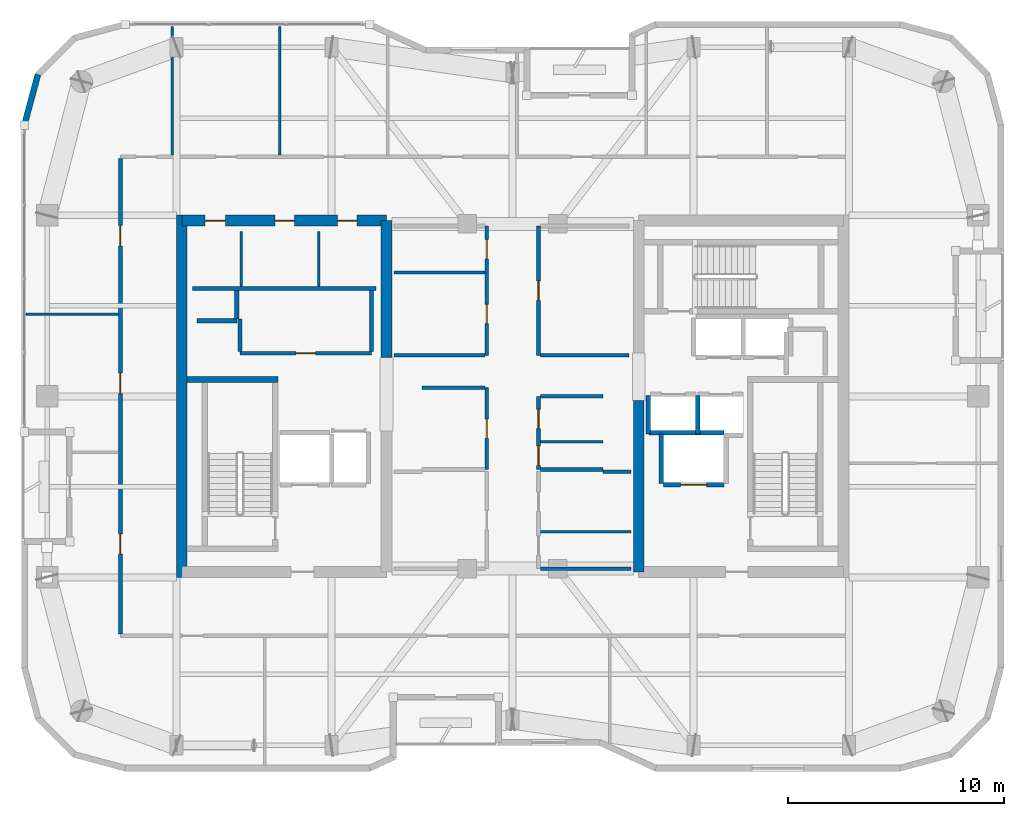
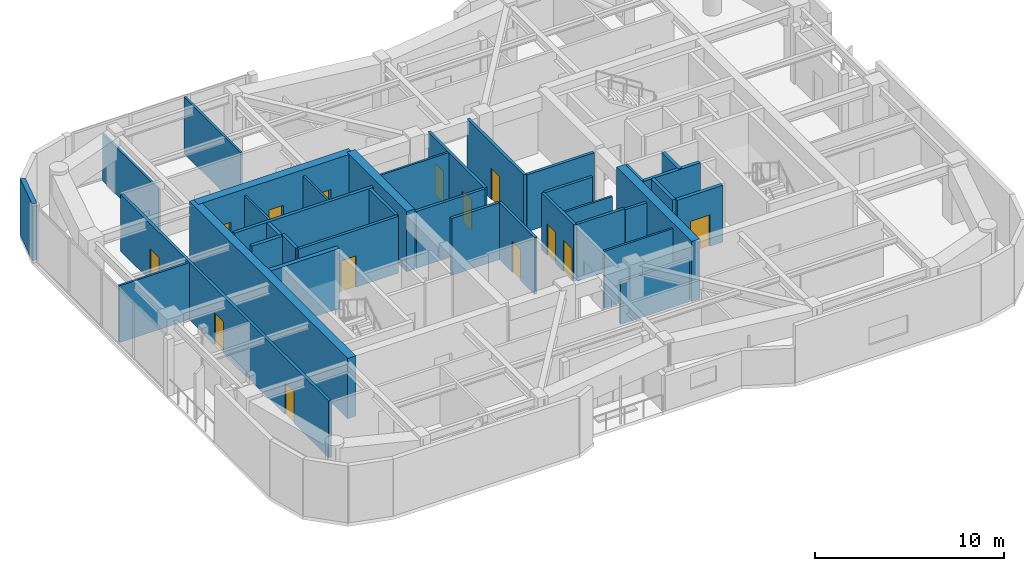
# One storey, part 11 of 15: 37 walls, 14 doors, 14 openings.
"""IFC4 building model written with IfcOpenShell, lengths in metres."""

import ifcopenshell
import ifcopenshell.guid

model = None  # the IFC model being written
_history = None  # IfcOwnerHistory: only IFC2X3 demands one
_inside = {}  # id of a spatial element -> (the spatial element, [elements in it])
_under = {}  # id of a project, library or spatial element -> (it, [spatial elements below it])
_declared = {}  # id of a project -> (the project, [libraries it declares])
_typed = {}  # id of a type object -> (the type object, [elements of that type])
_made_of = {}  # id of a material, layer set ... -> (it, [elements and type objects made of it])


def new_model(schema):
    """Start an empty IFC model of exactly this schema.

    Asked for "IFC4X3", IfcOpenShell would pick the latest addendum, in which some entities
    have other attributes; the version numbers below select the first issue.
    IFC2X3 requires an IfcOwnerHistory on every rooted entity: one is made here for all.
    """
    global model, _history
    if schema == "IFC4X3":
        model = ifcopenshell.file(schema_version=(4, 3, 0, 0))
    else:
        model = ifcopenshell.file(schema=schema)
    _inside.clear()
    _under.clear()
    _declared.clear()
    _typed.clear()
    _made_of.clear()
    _history = None
    if model.schema == "IFC2X3":
        org = make("IfcOrganization", Name="unknown")
        user = make(
            "IfcPersonAndOrganization",
            ThePerson=make("IfcPerson", FamilyName="unknown"),
            TheOrganization=org,
        )
        app = make(
            "IfcApplication",
            ApplicationDeveloper=org,
            Version="unknown",
            ApplicationFullName="unknown",
            ApplicationIdentifier="unknown",
        )
        _history = make(
            "IfcOwnerHistory",
            OwningUser=user,
            OwningApplication=app,
            ChangeAction="ADDED",
            CreationDate=0,
        )
    return model


def make(cls, **values):
    """One entity of the class cls with the attributes given. An attribute that is None is left unset."""
    return model.create_entity(
        cls, **{name: value for name, value in values.items() if value is not None}
    )


def rooted(cls, **values):
    """An entity with a GlobalId (a new one), such as an element, a storey or a relation."""
    return make(cls, GlobalId=ifcopenshell.guid.new(), OwnerHistory=_history, **values)


def si_unit(unit_type, name, prefix=None):
    """IfcSIUnit, for example si_unit("LENGTHUNIT", "METRE", prefix="MILLI")."""
    return make("IfcSIUnit", UnitType=unit_type, Prefix=prefix, Name=name)


def assignment(units):
    """IfcUnitAssignment: the units of a project."""
    return None if units is None else make("IfcUnitAssignment", Units=units)


def point(xyz):
    """IfcCartesianPoint."""
    return None if xyz is None else make("IfcCartesianPoint", Coordinates=xyz)


def direction(xyz):
    """IfcDirection."""
    return None if xyz is None else make("IfcDirection", DirectionRatios=xyz)


def frame(location, z_axis=None, x_axis=None):
    """IfcAxis2Placement3D, a coordinate frame: its origin and axes. An axis left out is left unset."""
    return make(
        "IfcAxis2Placement3D",
        Location=point(location),
        Axis=direction(z_axis),
        RefDirection=direction(x_axis),
    )


def frame_2d(location, x_axis=None):
    """IfcAxis2Placement2D, a coordinate frame in the plane: its origin and x axis."""
    return make(
        "IfcAxis2Placement2D", Location=point(location), RefDirection=direction(x_axis)
    )


def origin():
    """The frame at (0, 0, 0) with its axes left unset."""
    return frame((0.0, 0.0, 0.0))


def place(relative_to, where):
    """IfcLocalPlacement: puts the frame where relative to a parent placement (None: the world)."""
    return make(
        "IfcLocalPlacement", PlacementRelTo=relative_to, RelativePlacement=where
    )


def context(
    kind, dimensions, precision=None, world=None, true_north=None, identifier=None
):
    """IfcGeometricRepresentationContext, for example the 3D "Model" context."""
    return make(
        "IfcGeometricRepresentationContext",
        ContextIdentifier=identifier,
        ContextType=kind,
        CoordinateSpaceDimension=dimensions,
        Precision=precision,
        WorldCoordinateSystem=world,
        TrueNorth=true_north,
    )


def subcontext(parent, identifier, kind, view, scale=None):
    """IfcGeometricRepresentationSubContext, for example "Body" below "Model"."""
    return make(
        "IfcGeometricRepresentationSubContext",
        ContextIdentifier=identifier,
        ContextType=kind,
        ParentContext=parent,
        TargetScale=scale,
        TargetView=view,
    )


def project(units=None, contexts=None):
    """IfcProject with its units and contexts."""
    return rooted(
        "IfcProject",
        Name="project",
        RepresentationContexts=contexts,
        UnitsInContext=assignment(units),
    )


def spatial(cls, under=None, at=None, **own):
    """A site, building, storey or space (cls), placed at a placement, below another one or the project."""
    s = rooted(cls, ObjectPlacement=at, **own)
    if under is not None:
        _under.setdefault(under.id(), (under, []))[1].append(s)
    return s


def profile(cls, at=None, kind="AREA", **sizes):
    """A parametric profile (cls). Its sizes go by their IFC names, for example OverallWidth=200.0."""
    return make(cls, ProfileType=kind, Position=at, **sizes)


def rectangle(**sizes):
    """IfcRectangleProfileDef."""
    return profile("IfcRectangleProfileDef", **sizes)


def extrude(swept, where, along, depth):
    """IfcExtrudedAreaSolid: the profile swept, set in the frame where, extruded along a direction by depth."""
    return make(
        "IfcExtrudedAreaSolid",
        SweptArea=swept,
        Position=where,
        ExtrudedDirection=direction(along),
        Depth=depth,
    )


def shape(context_of_items, identifier, shape_type, items):
    """IfcShapeRepresentation: the items that make up one representation, for example the "Body"."""
    return make(
        "IfcShapeRepresentation",
        ContextOfItems=context_of_items,
        RepresentationIdentifier=identifier,
        RepresentationType=shape_type,
        Items=items,
    )


def material(Name=None, Category=None):
    """IfcMaterial."""
    return make("IfcMaterial", Name=Name, Category=Category)


def layer(
    of_material, thickness, ventilated=None, Name=None, Category=None, Priority=None
):
    """IfcMaterialLayer: one layer of a wall or slab, of a material (None: an air gap)."""
    return make(
        "IfcMaterialLayer",
        Material=of_material,
        LayerThickness=thickness,
        IsVentilated=ventilated,
        Name=Name,
        Category=Category,
        Priority=Priority,
    )


def layer_set(layers, Name=None):
    """IfcMaterialLayerSet."""
    return make("IfcMaterialLayerSet", MaterialLayers=layers, LayerSetName=Name)


def made_of(thing, what):
    """Note that an element or type object is made of a material, layer set ...; save() writes the relation."""
    if what is not None:
        _made_of.setdefault(what.id(), (what, []))[1].append(thing)
    return thing


def type_object(cls, material=None, **own):
    """A type object (cls), such as IfcWallType, which elements share."""
    return made_of(rooted(cls, **own), material)


def element(
    cls,
    number,
    at=None,
    inside=None,
    cuts=None,
    type_object=None,
    material=None,
    context=None,
    identifier="Body",
    shape_type=None,
    held_by="IfcProductDefinitionShape",
    body=None,
    shapes=None,
    **own,
):
    """One element of the class cls, such as IfcWall. Its Tag is "e" and its number.

    at: its placement. inside: the storey or other place that contains it. cuts: it is an
    opening in that element (IfcRelVoidsElement). A single representation is given by context,
    identifier, shape_type and body (its items); several are given by shapes. held_by: the class
    of the entity that holds the representations. save() writes the other relations.
    """
    e = rooted(cls, Tag="e%d" % number, ObjectPlacement=at, **own)
    if body is not None:
        shapes = [shape(context, identifier, shape_type, body)]
    if shapes is not None:
        e.Representation = make(held_by, Representations=shapes)
    if inside is not None:
        _inside.setdefault(inside.id(), (inside, []))[1].append(e)
    if cuts is not None:
        rooted(
            "IfcRelVoidsElement", RelatingBuildingElement=cuts, RelatedOpeningElement=e
        )
    if type_object is not None:
        _typed.setdefault(type_object.id(), (type_object, []))[1].append(e)
    return made_of(e, material)


def fill(opening, filler):
    """IfcRelFillsElement: the door or window that sits in an opening."""
    return rooted(
        "IfcRelFillsElement",
        RelatingOpeningElement=opening,
        RelatedBuildingElement=filler,
    )


def aggregate(whole, parts):
    """IfcRelAggregates: a whole, such as a stair, and the parts it consists of."""
    return rooted("IfcRelAggregates", RelatingObject=whole, RelatedObjects=parts)


def save(model, path):
    """Write the relations noted so far, then the file.

    IfcRelAggregates (storeys below a building ...), IfcRelContainedInSpatialStructure (elements
    in a storey), IfcRelDefinesByType, IfcRelAssociatesMaterial and IfcRelDeclares: one each for
    every whole, place, type object, material and project.
    """
    for whole, parts in _under.values():
        aggregate(whole, parts)
    for where, things in _inside.values():
        rooted(
            "IfcRelContainedInSpatialStructure",
            RelatedElements=things,
            RelatingStructure=where,
        )
    for kind, things in _typed.values():
        rooted("IfcRelDefinesByType", RelatedObjects=things, RelatingType=kind)
    for what, things in _made_of.values():
        rooted("IfcRelAssociatesMaterial", RelatedObjects=things, RelatingMaterial=what)
    for by, libraries in _declared.values():
        rooted("IfcRelDeclares", RelatingContext=by, RelatedDefinitions=libraries)
    model.write(path)


model = new_model("IFC4")

# Units and contexts
model_context = context("Model", 3, precision=1e-05, world=origin(), true_north=direction((0.0, 1.0)))
body_context = subcontext(model_context, "Body", "Model", "MODEL_VIEW")
ifc_project = project(units=[si_unit("LENGTHUNIT", "METRE"), si_unit("AREAUNIT", "SQUARE_METRE"), si_unit("VOLUMEUNIT", "CUBIC_METRE"), si_unit("PLANEANGLEUNIT", "RADIAN"), si_unit("MASSUNIT", "GRAM", prefix="KILO")], contexts=[model_context])

# Site, building, storey
site_placement = place(None, origin())
site = spatial("IfcSite", under=ifc_project, at=site_placement, CompositionType="ELEMENT")
building_placement = place(site_placement, origin())
building = spatial("IfcBuilding", under=site, at=building_placement, Name="Kiyonajd Concourse Tower", CompositionType="ELEMENT")
storey_placement = place(building_placement, frame((0.0, 0.0, 266.699951171875)))
storey = spatial("IfcBuildingStorey", under=building, at=storey_placement, Name="L67", CompositionType="ELEMENT", Elevation=266.699951171875)

# Walls
ifc_material_1 = material(Name="Concrete C60/75", Category="concrete")
ifc_layer_1 = layer(ifc_material_1, 0.5)
ifc_layer_set_1 = layer_set([ifc_layer_1], Name="Concrete C60/75")
wall_type_1 = type_object("IfcWallType", Name="WL-CORE-500", PredefinedType="SHEAR", material=ifc_layer_set_1)
wall_1_placement = place(storey_placement, frame((32.64990234375, 27.60009765625, 0.0), z_axis=(0.0, 0.0, 1.0), x_axis=(0.0, 1.0, 0.0)))
element("IfcWall", 1, at=wall_1_placement, inside=storey, type_object=wall_type_1, Name="L67 West Core Outer Shear Wall", PredefinedType="SHEAR", context=body_context, shape_type="SweptSolid", body=[
    extrude(rectangle(XDim=16.7998046875, YDim=0.5, at=frame_2d((8.39990234375, 0.0))), origin(), (0.0, 0.0, 1.0), 3.900146484375),
])
wall_2_placement = place(storey_placement, frame((42.14990234375, 37.800048828125, 0.0), z_axis=(0.0, 0.0, 1.0), x_axis=(0.0, 1.0, 0.0)))
element("IfcWall", 2, at=wall_2_placement, inside=storey, type_object=wall_type_1, Name="L67 West Core Inner North Shear Wall", PredefinedType="SHEAR", context=body_context, shape_type="SweptSolid", body=[
    extrude(rectangle(XDim=6.349853515625, YDim=0.5, at=frame_2d((3.1748046875, 0.0))), origin(), (0.0, 0.0, 1.0), 3.900146484375),
])

# Wall, openings, doors
wall_3_placement = place(storey_placement, frame((32.64990234375, 44.14990234375, 0.0), z_axis=(0.0, 0.0, 1.0), x_axis=(1.0, 0.0, 0.0)))
wall_3 = element("IfcWall", 3, at=wall_3_placement, inside=storey, type_object=wall_type_1, Name="L67 West Core North Shear Wall", PredefinedType="SHEAR", context=body_context, shape_type="SweptSolid", body=[
    extrude(rectangle(XDim=9.5, YDim=0.5, at=frame_2d((4.75, 0.0))), origin(), (0.0, 0.0, 1.0), 3.900146484375),
])
opening_1_placement = place(wall_3_placement, frame((1.074951171875, 0.0, 0.0)))
opening_1 = element("IfcOpeningElement", 4, at=opening_1_placement, cuts=wall_3, Name="Opening DI1", PredefinedType="OPENING", context=body_context, shape_type="SweptSolid", body=[
    extrude(rectangle(XDim=0.949951171875, YDim=2.0400390625, at=frame_2d((0.47509765625, 1.02001953125))), frame((0.0, 0.260009765625, 0.0), z_axis=(0.0, -1.0, 0.0), x_axis=(1.0, 0.0, 0.0)), (0.0, 0.0, 1.0), 0.52001953125),
])
opening_2_placement = place(wall_3_placement, frame((4.324951171875, 0.0, 0.0)))
opening_2 = element("IfcOpeningElement", 5, at=opening_2_placement, cuts=wall_3, Name="Opening DI2", PredefinedType="OPENING", context=body_context, shape_type="SweptSolid", body=[
    extrude(rectangle(XDim=0.89990234375, YDim=2.02001953125, at=frame_2d((0.449951171875, 1.010009765625))), frame((0.0, 0.260009765625, 0.0), z_axis=(0.0, -1.0, 0.0), x_axis=(1.0, 0.0, 0.0)), (0.0, 0.0, 1.0), 0.52001953125),
])
opening_3_placement = place(wall_3_placement, frame((7.22509765625, 0.0, 0.0)))
opening_3 = element("IfcOpeningElement", 6, at=opening_3_placement, cuts=wall_3, Name="Opening DI2", PredefinedType="OPENING", context=body_context, shape_type="SweptSolid", body=[
    extrude(rectangle(XDim=0.89990234375, YDim=2.02001953125, at=frame_2d((0.449951171875, 1.010009765625))), frame((0.0, 0.260009765625, 0.0), z_axis=(0.0, -1.0, 0.0), x_axis=(1.0, 0.0, 0.0)), (0.0, 0.0, 1.0), 0.52001953125),
])
ifc_material_2 = material(Name="Natural Oak Acoustic Timber Veneer", Category="wood")
door_type_1 = type_object("IfcDoorType", Name="DR-INT-900", OperationType="NOTDEFINED", PredefinedType="DOOR", material=ifc_material_2)
door_1_placement = place(opening_2_placement, origin())
door_1 = element("IfcDoor", 7, at=door_1_placement, inside=storey, type_object=door_type_1, Name="L67 Male Restroom Door", OperationType="SINGLE_SWING_RIGHT", OverallHeight=2.02001953125, OverallWidth=0.89990234375, PredefinedType="DOOR", context=body_context, shape_type="SweptSolid", body=[
    extrude(rectangle(XDim=0.89990234375, YDim=2.02001953125, at=frame_2d((0.449951171875, 1.010009765625))), frame((0.0, 0.02490234375, 0.0), z_axis=(0.0, -1.0, 0.0), x_axis=(1.0, 0.0, 0.0)), (0.0, 0.0, 1.0), 0.050048828125),
])
fill(opening_2, door_1)
door_2_placement = place(opening_3_placement, origin())
door_2 = element("IfcDoor", 8, at=door_2_placement, inside=storey, type_object=door_type_1, Name="L67 Female Restroom Door", OperationType="SINGLE_SWING_LEFT", OverallHeight=2.02001953125, OverallWidth=0.89990234375, PredefinedType="DOOR", context=body_context, shape_type="SweptSolid", body=[
    extrude(rectangle(XDim=0.89990234375, YDim=2.02001953125, at=frame_2d((0.449951171875, 1.010009765625))), frame((0.0, 0.02490234375, 0.0), z_axis=(0.0, -1.0, 0.0), x_axis=(1.0, 0.0, 0.0)), (0.0, 0.0, 1.0), 0.050048828125),
])
fill(opening_3, door_2)
door_type_2 = type_object("IfcDoorType", Name="DR-INT-950", OperationType="NOTDEFINED", PredefinedType="DOOR", material=ifc_material_2)
door_3_placement = place(opening_1_placement, origin())
door_3 = element("IfcDoor", 9, at=door_3_placement, inside=storey, type_object=door_type_2, Name="L67 Single User Accessible WC Door", OperationType="SINGLE_SWING_LEFT", OverallHeight=2.0400390625, OverallWidth=0.949951171875, PredefinedType="DOOR", context=body_context, shape_type="SweptSolid", body=[
    extrude(rectangle(XDim=0.949951171875, YDim=2.0400390625, at=frame_2d((0.47509765625, 1.02001953125))), frame((0.0, 0.02490234375, 0.0), z_axis=(0.0, -1.0, 0.0), x_axis=(1.0, 0.0, 0.0)), (0.0, 0.0, 1.0), 0.050048828125),
])
fill(opening_1, door_3)

# Walls
wall_4_placement = place(storey_placement, frame((53.85009765625, 27.85009765625, 0.0), z_axis=(0.0, 0.0, 1.0), x_axis=(0.0, 1.0, 0.0)))
element("IfcWall", 10, at=wall_4_placement, inside=storey, type_object=wall_type_1, Name="L67 East Core Inner South Shear Wall", PredefinedType="SHEAR", context=body_context, shape_type="SweptSolid", body=[
    extrude(rectangle(XDim=7.949951171875, YDim=0.5, at=frame_2d((3.97509765625, 0.0))), origin(), (0.0, 0.0, 1.0), 3.900146484375),
])
ifc_material_3 = material(Name="Precast concrete C50/60", Category="concrete")
ifc_layer_2 = layer(ifc_material_3, 0.280029296875)
ifc_layer_set_2 = layer_set([ifc_layer_2], Name="Precast concrete C50/60")
wall_type_2 = type_object("IfcWallType", Name="WL-EXT-280", PredefinedType="SOLIDWALL", material=ifc_layer_set_2)
wall_5_placement = place(storey_placement, frame((25.340087890625, 48.58154296875, 0.0), z_axis=(0.0, 0.0, 1.0), x_axis=(0.258751159445, 0.965944013639, 0.0)))
element("IfcWall", 11, at=wall_5_placement, inside=storey, type_object=wall_type_2, Name="L67 Exterior Concrete Frame Wall 06", PredefinedType="SOLIDWALL", context=body_context, shape_type="SweptSolid", body=[
    extrude(rectangle(XDim=2.4287109375, YDim=0.280029296875, at=frame_2d((1.21435546875, 0.0))), origin(), (0.0, 0.0, 1.0), 3.679931640625),
])
ifc_material_4 = material(Name="Gypsum Board on Cold-Formed Steel Stud", Category="steel")
ifc_layer_3 = layer(ifc_material_4, 0.125)
ifc_layer_set_3 = layer_set([ifc_layer_3], Name="Gypsum Board on Cold-Formed Steel Stud")
wall_type_3 = type_object("IfcWallType", Name="WL-PART-125", PredefinedType="PARTITIONING", material=ifc_layer_set_3)
for number, where, z_axis, x_axis, name in (
    (12, (35.39990234375, 41.094970703125, 0.0), (0.0, 0.0, 1.0), (0.0, 1.0, 0.0), "L67 Interior Partition Wall"),
    (13, (39.0, 41.094970703125, 0.0), (0.0, 0.0, 1.0), (0.0, 1.0, 0.0), "L67 Interior Partition Wall"),
):
    element("IfcWall", number, at=place(storey_placement, frame(where, z_axis=z_axis, x_axis=x_axis)), inside=storey, type_object=wall_type_3, Name=name, PredefinedType="PARTITIONING", context=body_context, shape_type="SweptSolid", body=[
        extrude(rectangle(XDim=2.554931640625, YDim=0.125, at=frame_2d((1.27734375, 0.0))), origin(), (0.0, 0.0, 1.0), 3.679931640625),
    ])
wall_6_placement = place(storey_placement, frame((49.287109375, 33.89208984375, 0.0), z_axis=(0.0, 0.0, 1.0), x_axis=(1.0, 0.0, 0.0)))
element("IfcWall", 14, at=wall_6_placement, inside=storey, type_object=wall_type_3, Name="L67 Interior Partition Wall", PredefinedType="PARTITIONING", context=body_context, shape_type="SweptSolid", body=[
    extrude(rectangle(XDim=2.912841796875, YDim=0.125, at=frame_2d((1.45654296875, 0.0))), origin(), (0.0, 0.0, 1.0), 3.679931640625),
])
for number, where, z_axis, x_axis, name in (
    (15, (49.287109375, 29.7099609375, 0.0), (0.0, 0.0, 1.0), (1.0, 0.0, 0.0), "L67 Interior Partition Wall"),
    (16, (42.5, 41.739990234375, 0.0), (0.0, 0.0, 1.0), (1.0, 0.0, 0.0), "L67 Interior Partition Wall"),
):
    element("IfcWall", number, at=place(storey_placement, frame(where, z_axis=z_axis, x_axis=x_axis)), inside=storey, type_object=wall_type_3, Name=name, PredefinedType="PARTITIONING", context=body_context, shape_type="SweptSolid", body=[
        extrude(rectangle(XDim=4.212890625, YDim=0.125, at=frame_2d((2.1064453125, 0.0))), origin(), (0.0, 0.0, 1.0), 3.679931640625),
    ])
wall_7_placement = place(storey_placement, frame((32.199951171875, 47.197021484375, 0.0), z_axis=(0.0, 0.0, 1.0), x_axis=(0.0, 1.0, 0.0)))
element("IfcWall", 17, at=wall_7_placement, inside=storey, type_object=wall_type_3, Name="L67 Interior Partition Wall", PredefinedType="PARTITIONING", context=body_context, shape_type="SweptSolid", body=[
    extrude(rectangle(XDim=5.968017578125, YDim=0.125, at=frame_2d((2.98388671875, 0.0))), origin(), (0.0, 0.0, 1.0), 3.053955078125),
])
wall_8_placement = place(storey_placement, frame((37.199951171875, 47.197021484375, 0.0), z_axis=(0.0, 0.0, 1.0), x_axis=(0.0, 1.0, 0.0)))
element("IfcWall", 18, at=wall_8_placement, inside=storey, type_object=wall_type_3, Name="L67 Interior Partition Wall", PredefinedType="PARTITIONING", context=body_context, shape_type="SweptSolid", body=[
    extrude(rectangle(XDim=5.968017578125, YDim=0.125, at=frame_2d((2.98388671875, 0.0))), origin(), (0.0, 0.0, 1.0), 3.679931640625),
])
wall_9_placement = place(storey_placement, frame((25.425048828125, 39.800048828125, 0.0), z_axis=(0.0, 0.0, 1.0), x_axis=(1.0, 0.0, 0.0)))
element("IfcWall", 19, at=wall_9_placement, inside=storey, type_object=wall_type_3, Name="L67 Interior Partition Wall", PredefinedType="PARTITIONING", context=body_context, shape_type="SweptSolid", body=[
    extrude(rectangle(XDim=4.287841796875, YDim=0.125, at=frame_2d((2.14404296875, 0.0))), origin(), (0.0, 0.0, 1.0), 3.679931640625),
])
ifc_layer_4 = layer(ifc_material_4, 0.18994140625)
ifc_layer_set_4 = layer_set([ifc_layer_4], Name="Gypsum Board on Cold-Formed Steel Stud")
wall_type_4 = type_object("IfcWallType", Name="WL-PLMB-190", PredefinedType="PLUMBINGWALL", material=ifc_layer_set_4)
wall_10_placement = place(storey_placement, frame((33.14990234375, 41.0, 0.0), z_axis=(0.0, 0.0, 1.0), x_axis=(1.0, 0.0, 0.0)))
element("IfcWall", 20, at=wall_10_placement, inside=storey, type_object=wall_type_4, Name="L67 Interior Partition Wall", PredefinedType="PLUMBINGWALL", context=body_context, shape_type="SweptSolid", body=[
    extrude(rectangle(XDim=8.5, YDim=0.18994140625, at=frame_2d((4.25, 0.0))), origin(), (0.0, 0.0, 1.0), 3.679931640625),
])
ifc_layer_5 = layer(ifc_material_4, 0.2099609375)
ifc_layer_set_5 = layer_set([ifc_layer_5], Name="Gypsum Board on Cold-Formed Steel Stud")
wall_type_5 = type_object("IfcWallType", Name="WL-SHAFT-210", PredefinedType="PARTITIONING", material=ifc_layer_set_5)
wall_11_placement = place(storey_placement, frame((33.360107421875, 39.5, 0.0), z_axis=(0.0, 0.0, 1.0), x_axis=(1.0, 0.0, 0.0)))
element("IfcWall", 21, at=wall_11_placement, inside=storey, type_object=wall_type_5, Name="L67 Shaft Enclosure Wall", PredefinedType="PARTITIONING", context=body_context, shape_type="SweptSolid", body=[
    extrude(rectangle(XDim=1.85986328125, YDim=0.2099609375, at=frame_2d((0.929931640625, 0.0))), origin(), (0.0, 0.0, 1.0), 3.679931640625),
])
wall_12_placement = place(storey_placement, frame((35.199951171875, 39.580078125, 0.0), z_axis=(0.0, 0.0, 1.0), x_axis=(0.0, 1.0, 0.0)))
element("IfcWall", 22, at=wall_12_placement, inside=storey, type_object=wall_type_5, Name="L67 Shaft Enclosure Wall", PredefinedType="PARTITIONING", context=body_context, shape_type="SweptSolid", body=[
    extrude(rectangle(XDim=1.31982421875, YDim=0.2099609375, at=frame_2d((0.659912109375, 0.0))), origin(), (0.0, 0.0, 1.0), 3.679931640625),
])

# Wall, opening, door
wall_13_placement = place(storey_placement, frame((55.0, 31.89990234375, 0.0), z_axis=(0.0, 0.0, 1.0), x_axis=(1.0, 0.0, 0.0)))
wall_13 = element("IfcWall", 23, at=wall_13_placement, inside=storey, type_object=wall_type_5, Name="L67 Shaft Enclosure Wall", PredefinedType="PARTITIONING", context=body_context, shape_type="SweptSolid", body=[
    extrude(rectangle(XDim=2.800048828125, YDim=0.2099609375, at=frame_2d((1.39990234375, 0.0))), origin(), (0.0, 0.0, 1.0), 3.679931640625),
])
opening_4_placement = place(wall_13_placement, frame((0.800048828125, 0.0, 0.0)))
opening_4 = element("IfcOpeningElement", 24, at=opening_4_placement, cuts=wall_13, Name="Opening LD2", PredefinedType="OPENING", context=body_context, shape_type="SweptSolid", body=[
    extrude(rectangle(XDim=1.199951171875, YDim=2.0400390625, at=frame_2d((0.60009765625, 1.02001953125))), frame((0.0, 0.114990234375, 0.0), z_axis=(0.0, -1.0, 0.0), x_axis=(1.0, 0.0, 0.0)), (0.0, 0.0, 1.0), 0.22998046875),
])
ifc_material_5 = material(Name="Brushed Stainless Steel Cab Assembly", Category="steel")
door_type_3 = type_object("IfcDoorType", Name="DR-LD-1200", OperationType="DOUBLE_DOOR_SLIDING", PredefinedType="DOOR", material=ifc_material_5)
door_4_placement = place(opening_4_placement, origin())
door_4 = element("IfcDoor", 25, at=door_4_placement, inside=storey, type_object=door_type_3, Name="L67 Lift FFL2 Sliding Landing Door", OperationType="DOUBLE_DOOR_SLIDING", OverallHeight=2.0400390625, OverallWidth=1.199951171875, PredefinedType="DOOR", context=body_context, shape_type="SweptSolid", body=[
    extrude(rectangle(XDim=1.199951171875, YDim=2.0400390625, at=frame_2d((0.60009765625, 1.02001953125))), frame((0.0, 0.02490234375, 0.0), z_axis=(0.0, -1.0, 0.0), x_axis=(1.0, 0.0, 0.0)), (0.0, 0.0, 1.0), 0.050048828125),
])
fill(opening_4, door_4)

# Walls
wall_14_placement = place(storey_placement, frame((54.320068359375, 34.300048828125, 0.0), z_axis=(0.0, 0.0, 1.0), x_axis=(1.0, 0.0, 0.0)))
element("IfcWall", 26, at=wall_14_placement, inside=storey, type_object=wall_type_5, Name="L67 Shaft Enclosure Wall", PredefinedType="PARTITIONING", context=body_context, shape_type="SweptSolid", body=[
    extrude(rectangle(XDim=3.47998046875, YDim=0.2099609375, at=frame_2d((1.739990234375, 0.0))), origin(), (0.0, 0.0, 1.0), 3.679931640625),
])
wall_15_placement = place(storey_placement, frame((54.89990234375, 31.9599609375, 0.0), z_axis=(0.0, 0.0, 1.0), x_axis=(0.0, 1.0, 0.0)))
element("IfcWall", 27, at=wall_15_placement, inside=storey, type_object=wall_type_5, Name="L67 Shaft Enclosure Wall", PredefinedType="PARTITIONING", context=body_context, shape_type="SweptSolid", body=[
    extrude(rectangle(XDim=2.280029296875, YDim=0.2099609375, at=frame_2d((1.14013671875, 0.0))), origin(), (0.0, 0.0, 1.0), 3.679931640625),
])
for number, where, z_axis, x_axis, name in (
    (28, (54.300048828125, 34.260009765625, 0.0), (0.0, 0.0, 1.0), (0.0, 1.0, 0.0), "L67 Shaft Enclosure Wall"),
    (29, (56.60009765625, 34.260009765625, 0.0), (0.0, 0.0, 1.0), (0.0, 1.0, 0.0), "L67 Shaft Enclosure Wall"),
):
    element("IfcWall", number, at=place(storey_placement, frame(where, z_axis=z_axis, x_axis=x_axis)), inside=storey, type_object=wall_type_5, Name=name, PredefinedType="PARTITIONING", context=body_context, shape_type="SweptSolid", body=[
        extrude(rectangle(XDim=1.780029296875, YDim=0.2099609375, at=frame_2d((0.89013671875, 0.0))), origin(), (0.0, 0.0, 1.0), 3.679931640625),
    ])

# Wall, opening, door
ifc_layer_6 = layer(ifc_material_4, 0.169921875)
ifc_layer_set_6 = layer_set([ifc_layer_6], Name="Gypsum Board on Cold-Formed Steel Stud")
wall_type_6 = type_object("IfcWallType", Name="WL-SMK-170", PredefinedType="PARTITIONING", material=ifc_layer_set_6)
wall_16_placement = place(storey_placement, frame((35.35009765625, 38.0, 0.0), z_axis=(0.0, 0.0, 1.0), x_axis=(1.0, 0.0, 0.0)))
wall_16 = element("IfcWall", 30, at=wall_16_placement, inside=storey, type_object=wall_type_6, Name="L67 Interior Partition Wall", PredefinedType="PARTITIONING", context=body_context, shape_type="SweptSolid", body=[
    extrude(rectangle(XDim=6.099853515625, YDim=0.169921875, at=frame_2d((3.0498046875, 0.0))), origin(), (0.0, 0.0, 1.0), 3.679931640625),
])
opening_5_placement = place(wall_16_placement, frame((2.60009765625, 0.0, 0.0)))
opening_5 = element("IfcOpeningElement", 31, at=opening_5_placement, cuts=wall_16, Name="Opening DI2", PredefinedType="OPENING", context=body_context, shape_type="SweptSolid", body=[
    extrude(rectangle(XDim=0.89990234375, YDim=2.02001953125, at=frame_2d((0.449951171875, 1.010009765625))), frame((0.0, 0.094970703125, 0.0), z_axis=(0.0, -1.0, 0.0), x_axis=(1.0, 0.0, 0.0)), (0.0, 0.0, 1.0), 0.18994140625),
])
door_5_placement = place(opening_5_placement, origin())
door_5 = element("IfcDoor", 32, at=door_5_placement, inside=storey, type_object=door_type_1, Name="L67 Interior Door", OperationType="SINGLE_SWING_LEFT", OverallHeight=2.02001953125, OverallWidth=0.89990234375, PredefinedType="DOOR", context=body_context, shape_type="SweptSolid", body=[
    extrude(rectangle(XDim=0.89990234375, YDim=2.02001953125, at=frame_2d((0.449951171875, 1.010009765625))), frame((0.0, 0.02490234375, 0.0), z_axis=(0.0, -1.0, 0.0), x_axis=(1.0, 0.0, 0.0)), (0.0, 0.0, 1.0), 0.050048828125),
])
fill(opening_5, door_5)

# Walls
wall_17_placement = place(storey_placement, frame((35.35009765625, 38.0869140625, 0.0), z_axis=(0.0, 0.0, 1.0), x_axis=(0.0, 1.0, 0.0)))
element("IfcWall", 33, at=wall_17_placement, inside=storey, type_object=wall_type_6, Name="L67 Interior Partition Wall", PredefinedType="PARTITIONING", context=body_context, shape_type="SweptSolid", body=[
    extrude(rectangle(XDim=1.4931640625, YDim=0.169921875, at=frame_2d((0.74658203125, 0.0))), origin(), (0.0, 0.0, 1.0), 3.679931640625),
])
wall_18_placement = place(storey_placement, frame((41.449951171875, 38.0869140625, 0.0), z_axis=(0.0, 0.0, 1.0), x_axis=(0.0, 1.0, 0.0)))
element("IfcWall", 34, at=wall_18_placement, inside=storey, type_object=wall_type_6, Name="L67 Interior Partition Wall", PredefinedType="PARTITIONING", context=body_context, shape_type="SweptSolid", body=[
    extrude(rectangle(XDim=2.81298828125, YDim=0.169921875, at=frame_2d((1.406494140625, 0.0))), origin(), (0.0, 0.0, 1.0), 3.679931640625),
])

# Wall, opening, door
wall_19_placement = place(storey_placement, frame((46.800048828125, 32.60009765625, 0.0), z_axis=(0.0, 0.0, 1.0), x_axis=(0.0, 1.0, 0.0)))
wall_19 = element("IfcWall", 35, at=wall_19_placement, inside=storey, type_object=wall_type_6, Name="L67 Interior Partition Wall", PredefinedType="PARTITIONING", context=body_context, shape_type="SweptSolid", body=[
    extrude(rectangle(XDim=3.7998046875, YDim=0.169921875, at=frame_2d((1.89990234375, 0.0))), origin(), (0.0, 0.0, 1.0), 3.679931640625),
])
opening_6_placement = place(wall_19_placement, frame((1.449951171875, 0.0, 0.0)))
opening_6 = element("IfcOpeningElement", 36, at=opening_6_placement, cuts=wall_19, Name="Opening DI2", PredefinedType="OPENING", context=body_context, shape_type="SweptSolid", body=[
    extrude(rectangle(XDim=0.89990234375, YDim=2.02001953125, at=frame_2d((0.449951171875, 1.010009765625))), frame((0.0, 0.094970703125, 0.0), z_axis=(0.0, -1.0, 0.0), x_axis=(1.0, 0.0, 0.0)), (0.0, 0.0, 1.0), 0.18994140625),
])
door_6_placement = place(opening_6_placement, origin())
door_6 = element("IfcDoor", 37, at=door_6_placement, inside=storey, type_object=door_type_1, Name="L67 Interior Door", OperationType="SINGLE_SWING_RIGHT", OverallHeight=2.02001953125, OverallWidth=0.89990234375, PredefinedType="DOOR", context=body_context, shape_type="SweptSolid", body=[
    extrude(rectangle(XDim=0.89990234375, YDim=2.02001953125, at=frame_2d((0.449951171875, 1.010009765625))), frame((0.0, 0.02490234375, 0.0), z_axis=(0.0, -1.0, 0.0), x_axis=(1.0, 0.0, 0.0)), (0.0, 0.0, 1.0), 0.050048828125),
])
fill(opening_6, door_6)

# Wall
wall_20_placement = place(storey_placement, frame((43.800048828125, 36.39990234375, 0.0), z_axis=(0.0, 0.0, 1.0), x_axis=(1.0, 0.0, 0.0)))
element("IfcWall", 38, at=wall_20_placement, inside=storey, type_object=wall_type_6, Name="L67 Interior Partition Wall", PredefinedType="PARTITIONING", context=body_context, shape_type="SweptSolid", body=[
    extrude(rectangle(XDim=2.912841796875, YDim=0.169921875, at=frame_2d((1.45654296875, 0.0))), origin(), (0.0, 0.0, 1.0), 3.679931640625),
])

# Wall, openings, doors
wall_21_placement = place(storey_placement, frame((49.199951171875, 32.60009765625, 0.0), z_axis=(0.0, 0.0, 1.0), x_axis=(0.0, 1.0, 0.0)))
wall_21 = element("IfcWall", 39, at=wall_21_placement, inside=storey, type_object=wall_type_6, Name="L67 Interior Partition Wall", PredefinedType="PARTITIONING", context=body_context, shape_type="SweptSolid", body=[
    extrude(rectangle(XDim=3.39990234375, YDim=0.169921875, at=frame_2d((1.699951171875, 0.0))), origin(), (0.0, 0.0, 1.0), 3.679931640625),
])
opening_7_placement = place(wall_21_placement, frame((0.196044921875, 0.0, 0.0)))
opening_7 = element("IfcOpeningElement", 40, at=opening_7_placement, cuts=wall_21, Name="Opening DI2", PredefinedType="OPENING", context=body_context, shape_type="SweptSolid", body=[
    extrude(rectangle(XDim=0.89990234375, YDim=2.02001953125, at=frame_2d((0.449951171875, 1.010009765625))), frame((0.0, 0.094970703125, 0.0), z_axis=(0.0, -1.0, 0.0), x_axis=(1.0, 0.0, 0.0)), (0.0, 0.0, 1.0), 0.18994140625),
])
opening_8_placement = place(wall_21_placement, frame((1.89599609375, 0.0, 0.0)))
opening_8 = element("IfcOpeningElement", 41, at=opening_8_placement, cuts=wall_21, Name="Opening DI2", PredefinedType="OPENING", context=body_context, shape_type="SweptSolid", body=[
    extrude(rectangle(XDim=0.89990234375, YDim=2.02001953125, at=frame_2d((0.449951171875, 1.010009765625))), frame((0.0, 0.094970703125, 0.0), z_axis=(0.0, -1.0, 0.0), x_axis=(1.0, 0.0, 0.0)), (0.0, 0.0, 1.0), 0.18994140625),
])
door_7_placement = place(opening_7_placement, origin())
door_7 = element("IfcDoor", 42, at=door_7_placement, inside=storey, type_object=door_type_1, Name="L67 Interior Door", OperationType="SINGLE_SWING_LEFT", OverallHeight=2.02001953125, OverallWidth=0.89990234375, PredefinedType="DOOR", context=body_context, shape_type="SweptSolid", body=[
    extrude(rectangle(XDim=0.89990234375, YDim=2.02001953125, at=frame_2d((0.449951171875, 1.010009765625))), frame((0.0, 0.02490234375, 0.0), z_axis=(0.0, -1.0, 0.0), x_axis=(1.0, 0.0, 0.0)), (0.0, 0.0, 1.0), 0.050048828125),
])
fill(opening_7, door_7)
door_8_placement = place(opening_8_placement, origin())
door_8 = element("IfcDoor", 43, at=door_8_placement, inside=storey, type_object=door_type_1, Name="L67 Interior Door", OperationType="SINGLE_SWING_RIGHT", OverallHeight=2.02001953125, OverallWidth=0.89990234375, PredefinedType="DOOR", context=body_context, shape_type="SweptSolid", body=[
    extrude(rectangle(XDim=0.89990234375, YDim=2.02001953125, at=frame_2d((0.449951171875, 1.010009765625))), frame((0.0, 0.02490234375, 0.0), z_axis=(0.0, -1.0, 0.0), x_axis=(1.0, 0.0, 0.0)), (0.0, 0.0, 1.0), 0.050048828125),
])
fill(opening_8, door_8)

# Walls
for number, where, z_axis, x_axis, name in (
    (44, (49.287109375, 32.60009765625, 0.0), (0.0, 0.0, 1.0), (1.0, 0.0, 0.0), "L67 Interior Partition Wall"),
    (45, (49.287109375, 36.0, 0.0), (0.0, 0.0, 1.0), (1.0, 0.0, 0.0), "L67 Interior Partition Wall"),
):
    element("IfcWall", number, at=place(storey_placement, frame(where, z_axis=z_axis, x_axis=x_axis)), inside=storey, type_object=wall_type_6, Name=name, PredefinedType="PARTITIONING", context=body_context, shape_type="SweptSolid", body=[
        extrude(rectangle(XDim=2.912841796875, YDim=0.169921875, at=frame_2d((1.45654296875, 0.0))), origin(), (0.0, 0.0, 1.0), 3.679931640625),
    ])
wall_22_placement = place(storey_placement, frame((49.287109375, 28.0, 0.0), z_axis=(0.0, 0.0, 1.0), x_axis=(1.0, 0.0, 0.0)))
element("IfcWall", 46, at=wall_22_placement, inside=storey, type_object=wall_type_6, Name="L67 Interior Partition Wall", PredefinedType="PARTITIONING", context=body_context, shape_type="SweptSolid", body=[
    extrude(rectangle(XDim=4.212890625, YDim=0.169921875, at=frame_2d((2.1064453125, 0.0))), origin(), (0.0, 0.0, 1.0), 2.76513671875),
])
wall_23_placement = place(storey_placement, frame((52.199951171875, 32.5, 0.0), z_axis=(0.0, 0.0, 1.0), x_axis=(1.0, 0.0, 0.0)))
element("IfcWall", 47, at=wall_23_placement, inside=storey, type_object=wall_type_6, Name="L67 Interior Partition Wall", PredefinedType="PARTITIONING", context=body_context, shape_type="SweptSolid", body=[
    extrude(rectangle(XDim=1.300048828125, YDim=0.169921875, at=frame_2d((0.64990234375, 0.0))), origin(), (0.0, 0.0, 1.0), 3.679931640625),
])

# Wall, openings, doors
wall_24_placement = place(storey_placement, frame((46.800048828125, 37.89990234375, 0.0), z_axis=(0.0, 0.0, 1.0), x_axis=(0.0, 1.0, 0.0)))
wall_24 = element("IfcWall", 48, at=wall_24_placement, inside=storey, type_object=wall_type_6, Name="L67 Interior Partition Wall", PredefinedType="PARTITIONING", context=body_context, shape_type="SweptSolid", body=[
    extrude(rectangle(XDim=6.0, YDim=0.169921875, at=frame_2d((3.0, 0.0))), origin(), (0.0, 0.0, 1.0), 3.679931640625),
])
opening_9_placement = place(wall_24_placement, frame((1.469970703125, 0.0, 0.0)))
opening_9 = element("IfcOpeningElement", 49, at=opening_9_placement, cuts=wall_24, Name="Opening DF4", PredefinedType="OPENING", context=body_context, shape_type="SweptSolid", body=[
    extrude(rectangle(XDim=0.89990234375, YDim=2.02001953125, at=frame_2d((0.449951171875, 1.010009765625))), frame((0.0, 0.094970703125, 0.0), z_axis=(0.0, -1.0, 0.0), x_axis=(1.0, 0.0, 0.0)), (0.0, 0.0, 1.0), 0.18994140625),
])
opening_10_placement = place(wall_24_placement, frame((4.469970703125, 0.0, 0.0)))
opening_10 = element("IfcOpeningElement", 50, at=opening_10_placement, cuts=wall_24, Name="Opening DF4", PredefinedType="OPENING", context=body_context, shape_type="SweptSolid", body=[
    extrude(rectangle(XDim=0.89990234375, YDim=2.02001953125, at=frame_2d((0.449951171875, 1.010009765625))), frame((0.0, 0.094970703125, 0.0), z_axis=(0.0, -1.0, 0.0), x_axis=(1.0, 0.0, 0.0)), (0.0, 0.0, 1.0), 0.18994140625),
])
door_type_4 = type_object("IfcDoorType", Name="DR-FD60-900", OperationType="NOTDEFINED", PredefinedType="DOOR", material=ifc_material_5)
door_9_placement = place(opening_9_placement, origin())
door_9 = element("IfcDoor", 51, at=door_9_placement, inside=storey, type_object=door_type_4, Name="L67 Interior Door", OperationType="SINGLE_SWING_RIGHT", OverallHeight=2.02001953125, OverallWidth=0.89990234375, PredefinedType="DOOR", context=body_context, shape_type="SweptSolid", body=[
    extrude(rectangle(XDim=0.89990234375, YDim=2.02001953125, at=frame_2d((0.449951171875, 1.010009765625))), frame((0.0, 0.02490234375, 0.0), z_axis=(0.0, -1.0, 0.0), x_axis=(1.0, 0.0, 0.0)), (0.0, 0.0, 1.0), 0.050048828125),
])
fill(opening_9, door_9)
door_10_placement = place(opening_10_placement, origin())
door_10 = element("IfcDoor", 52, at=door_10_placement, inside=storey, type_object=door_type_4, Name="L67 Interior Door", OperationType="SINGLE_SWING_LEFT", OverallHeight=2.02001953125, OverallWidth=0.89990234375, PredefinedType="DOOR", context=body_context, shape_type="SweptSolid", body=[
    extrude(rectangle(XDim=0.89990234375, YDim=2.02001953125, at=frame_2d((0.449951171875, 1.010009765625))), frame((0.0, 0.02490234375, 0.0), z_axis=(0.0, -1.0, 0.0), x_axis=(1.0, 0.0, 0.0)), (0.0, 0.0, 1.0), 0.050048828125),
])
fill(opening_10, door_10)

# Wall
wall_25_placement = place(storey_placement, frame((42.5, 37.89990234375, 0.0), z_axis=(0.0, 0.0, 1.0), x_axis=(1.0, 0.0, 0.0)))
element("IfcWall", 53, at=wall_25_placement, inside=storey, type_object=wall_type_6, Name="L67 Interior Partition Wall", PredefinedType="PARTITIONING", context=body_context, shape_type="SweptSolid", body=[
    extrude(rectangle(XDim=4.212890625, YDim=0.169921875, at=frame_2d((2.1064453125, 0.0))), origin(), (0.0, 0.0, 1.0), 3.679931640625),
])

# Wall, opening, door
wall_26_placement = place(storey_placement, frame((49.199951171875, 37.89990234375, 0.0), z_axis=(0.0, 0.0, 1.0), x_axis=(0.0, 1.0, 0.0)))
wall_26 = element("IfcWall", 54, at=wall_26_placement, inside=storey, type_object=wall_type_6, Name="L67 Interior Partition Wall", PredefinedType="PARTITIONING", context=body_context, shape_type="SweptSolid", body=[
    extrude(rectangle(XDim=6.0, YDim=0.169921875, at=frame_2d((3.0, 0.0))), origin(), (0.0, 0.0, 1.0), 3.679931640625),
])
opening_11_placement = place(wall_26_placement, frame((2.550048828125, 0.0, 0.0)))
opening_11 = element("IfcOpeningElement", 55, at=opening_11_placement, cuts=wall_26, Name="Opening DI2", PredefinedType="OPENING", context=body_context, shape_type="SweptSolid", body=[
    extrude(rectangle(XDim=0.89990234375, YDim=2.02001953125, at=frame_2d((0.449951171875, 1.010009765625))), frame((0.0, 0.094970703125, 0.0), z_axis=(0.0, -1.0, 0.0), x_axis=(1.0, 0.0, 0.0)), (0.0, 0.0, 1.0), 0.18994140625),
])
door_11_placement = place(opening_11_placement, origin())
door_11 = element("IfcDoor", 56, at=door_11_placement, inside=storey, type_object=door_type_1, Name="L67 Interior Door", OperationType="SINGLE_SWING_RIGHT", OverallHeight=2.02001953125, OverallWidth=0.89990234375, PredefinedType="DOOR", context=body_context, shape_type="SweptSolid", body=[
    extrude(rectangle(XDim=0.89990234375, YDim=2.02001953125, at=frame_2d((0.449951171875, 1.010009765625))), frame((0.0, 0.02490234375, 0.0), z_axis=(0.0, -1.0, 0.0), x_axis=(1.0, 0.0, 0.0)), (0.0, 0.0, 1.0), 0.050048828125),
])
fill(opening_11, door_11)

# Wall
wall_27_placement = place(storey_placement, frame((49.287109375, 37.89990234375, 0.0), z_axis=(0.0, 0.0, 1.0), x_axis=(1.0, 0.0, 0.0)))
element("IfcWall", 57, at=wall_27_placement, inside=storey, type_object=wall_type_6, Name="L67 Interior Partition Wall", PredefinedType="PARTITIONING", context=body_context, shape_type="SweptSolid", body=[
    extrude(rectangle(XDim=4.11279296875, YDim=0.169921875, at=frame_2d((2.056396484375, 0.0))), origin(), (0.0, 0.0, 1.0), 3.679931640625),
])

# Wall, openings, doors
wall_28_placement = place(storey_placement, frame((29.800048828125, 24.97705078125, 0.0), z_axis=(0.0, 0.0, 1.0), x_axis=(0.0, 1.0, 0.0)))
wall_28 = element("IfcWall", 58, at=wall_28_placement, inside=storey, type_object=wall_type_6, Name="L67 Interior Partition Wall", PredefinedType="PARTITIONING", context=body_context, shape_type="SweptSolid", body=[
    extrude(rectangle(XDim=22.0458984375, YDim=0.169921875, at=frame_2d((11.02294921875, 0.0))), origin(), (0.0, 0.0, 1.0), 3.679931640625),
])
opening_12_placement = place(wall_28_placement, frame((3.693115234375, 0.0, 0.0)))
opening_12 = element("IfcOpeningElement", 59, at=opening_12_placement, cuts=wall_28, Name="Opening DI1", PredefinedType="OPENING", context=body_context, shape_type="SweptSolid", body=[
    extrude(rectangle(XDim=0.949951171875, YDim=2.0400390625, at=frame_2d((0.47509765625, 1.02001953125))), frame((0.0, 0.094970703125, 0.0), z_axis=(0.0, -1.0, 0.0), x_axis=(1.0, 0.0, 0.0)), (0.0, 0.0, 1.0), 0.18994140625),
])
opening_13_placement = place(wall_28_placement, frame((11.14794921875, 0.0, 0.0)))
opening_13 = element("IfcOpeningElement", 60, at=opening_13_placement, cuts=wall_28, Name="Opening DI1", PredefinedType="OPENING", context=body_context, shape_type="SweptSolid", body=[
    extrude(rectangle(XDim=0.949951171875, YDim=2.0400390625, at=frame_2d((0.47509765625, 1.02001953125))), frame((0.0, 0.094970703125, 0.0), z_axis=(0.0, -1.0, 0.0), x_axis=(1.0, 0.0, 0.0)), (0.0, 0.0, 1.0), 0.18994140625),
])
opening_14_placement = place(wall_28_placement, frame((18.0029296875, 0.0, 0.0)))
opening_14 = element("IfcOpeningElement", 61, at=opening_14_placement, cuts=wall_28, Name="Opening DI1", PredefinedType="OPENING", context=body_context, shape_type="SweptSolid", body=[
    extrude(rectangle(XDim=0.949951171875, YDim=2.0400390625, at=frame_2d((0.47509765625, 1.02001953125))), frame((0.0, 0.094970703125, 0.0), z_axis=(0.0, -1.0, 0.0), x_axis=(1.0, 0.0, 0.0)), (0.0, 0.0, 1.0), 0.18994140625),
])
door_12_placement = place(opening_12_placement, origin())
door_12 = element("IfcDoor", 62, at=door_12_placement, inside=storey, type_object=door_type_2, Name="L67 Interior Door", OperationType="SINGLE_SWING_LEFT", OverallHeight=2.0400390625, OverallWidth=0.949951171875, PredefinedType="DOOR", context=body_context, shape_type="SweptSolid", body=[
    extrude(rectangle(XDim=0.949951171875, YDim=2.0400390625, at=frame_2d((0.47509765625, 1.02001953125))), frame((0.0, 0.02490234375, 0.0), z_axis=(0.0, -1.0, 0.0), x_axis=(1.0, 0.0, 0.0)), (0.0, 0.0, 1.0), 0.050048828125),
])
fill(opening_12, door_12)
door_13_placement = place(opening_13_placement, origin())
door_13 = element("IfcDoor", 63, at=door_13_placement, inside=storey, type_object=door_type_2, Name="L67 Interior Door", OperationType="SINGLE_SWING_RIGHT", OverallHeight=2.0400390625, OverallWidth=0.949951171875, PredefinedType="DOOR", context=body_context, shape_type="SweptSolid", body=[
    extrude(rectangle(XDim=0.949951171875, YDim=2.0400390625, at=frame_2d((0.47509765625, 1.02001953125))), frame((0.0, 0.02490234375, 0.0), z_axis=(0.0, -1.0, 0.0), x_axis=(1.0, 0.0, 0.0)), (0.0, 0.0, 1.0), 0.050048828125),
])
fill(opening_13, door_13)
door_14_placement = place(opening_14_placement, origin())
door_14 = element("IfcDoor", 64, at=door_14_placement, inside=storey, type_object=door_type_2, Name="L67 Interior Door", OperationType="SINGLE_SWING_LEFT", OverallHeight=2.0400390625, OverallWidth=0.949951171875, PredefinedType="DOOR", context=body_context, shape_type="SweptSolid", body=[
    extrude(rectangle(XDim=0.949951171875, YDim=2.0400390625, at=frame_2d((0.47509765625, 1.02001953125))), frame((0.0, 0.02490234375, 0.0), z_axis=(0.0, -1.0, 0.0), x_axis=(1.0, 0.0, 0.0)), (0.0, 0.0, 1.0), 0.050048828125),
])
fill(opening_14, door_14)

# Wall
ifc_material_6 = material(Name="Concrete C50/60", Category="concrete")
ifc_layer_7 = layer(ifc_material_6, 0.260009765625)
ifc_layer_set_7 = layer_set([ifc_layer_7], Name="Concrete C50/60")
wall_type_7 = type_object("IfcWallType", Name="WL-STAIR-260", PredefinedType="SHEAR", material=ifc_layer_set_7)
wall_29_placement = place(storey_placement, frame((32.89990234375, 36.780029296875, 0.0), z_axis=(0.0, 0.0, 1.0), x_axis=(1.0, 0.0, 0.0)))
element("IfcWall", 65, at=wall_29_placement, inside=storey, type_object=wall_type_7, Name="L67 Stair ST1 Structural North Wall", PredefinedType="SHEAR", context=body_context, shape_type="SweptSolid", body=[
    extrude(rectangle(XDim=4.210205078125, YDim=0.260009765625, at=frame_2d((2.10498046875, 0.0))), origin(), (0.0, 0.0, 1.0), 3.900146484375),
])

save(model, "model.ifc")
